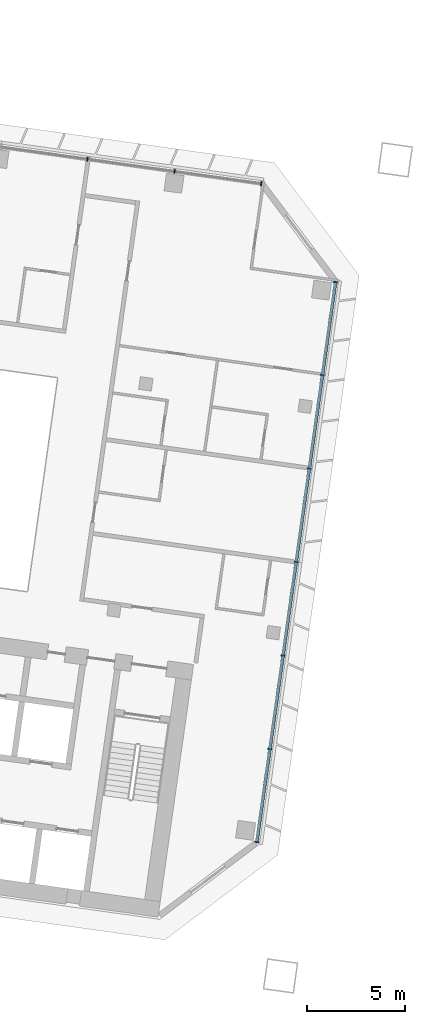
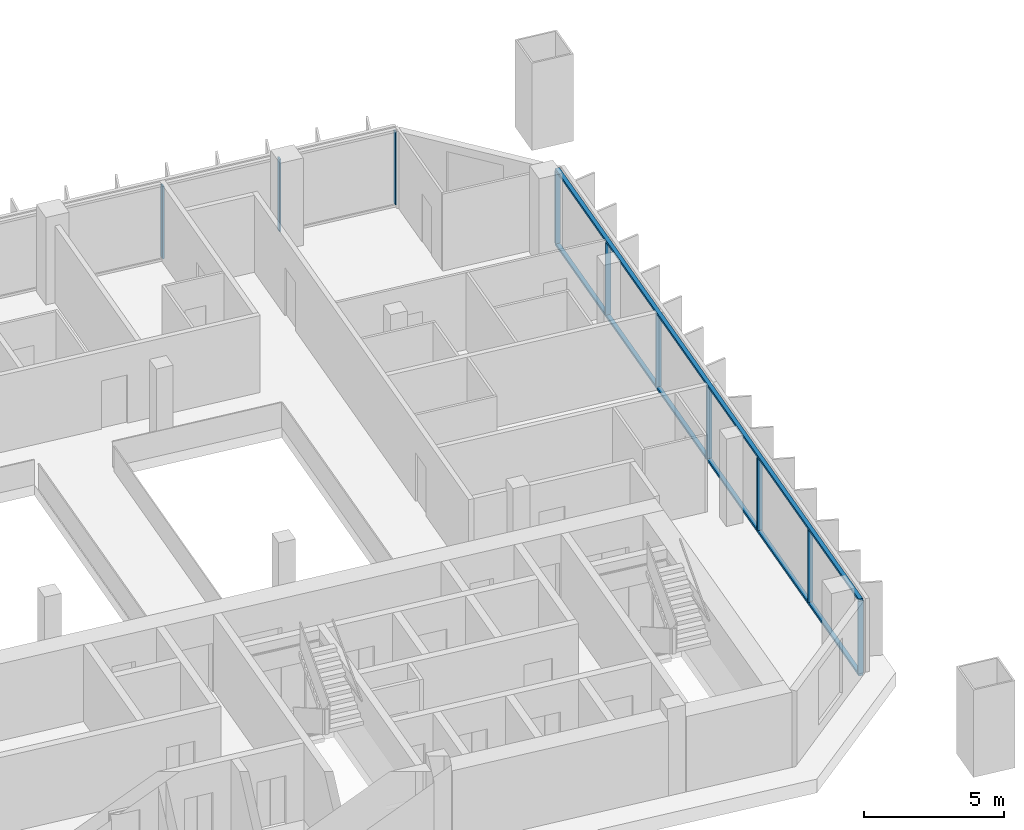
# One storey, part 6 of 26: 12 members, 2 elements without a shape of their own.
"""IFC4 building model written with IfcOpenShell, lengths in metres."""

from ifc_helpers import new_model, si_unit, direction, frame, origin, origin_2d, place, context, subcontext, project, spatial, rectangle, extrude, material, material_profile, profile_set, type_object, element, aggregate, save


model = new_model("IFC4")

# Units and contexts
model_context = context("Model", 3, precision=1e-05, world=origin(), true_north=direction((0.0, 1.0)))
body_context = subcontext(model_context, "Body", "Model", "MODEL_VIEW")
ifc_project = project(units=[si_unit("LENGTHUNIT", "METRE"), si_unit("AREAUNIT", "SQUARE_METRE"), si_unit("VOLUMEUNIT", "CUBIC_METRE"), si_unit("PLANEANGLEUNIT", "RADIAN"), si_unit("MASSUNIT", "GRAM", prefix="KILO")], contexts=[model_context])

# Site, building, storey
site_placement = place(None, origin())
site = spatial("IfcSite", under=ifc_project, at=site_placement, CompositionType="ELEMENT")
building_placement = place(site_placement, origin())
building = spatial("IfcBuilding", under=site, at=building_placement, Name="Mirante Cascada Hotel Towers", CompositionType="ELEMENT")
storey_placement = place(building_placement, frame((0.0, 0.0, 98.7)))
storey = spatial("IfcBuildingStorey", under=building, at=storey_placement, Name="L21", CompositionType="ELEMENT", Elevation=98.7)

# Curtain wall, members
ifc_material_1 = material(Name="Aluminium mullion and transom frame with clear laminated glass", Category="aluminium")
curtain_wall_type_1 = type_object("IfcCurtainWallType", Name="Ribbon curtain wall ECW1", PredefinedType="NOTDEFINED", material=ifc_material_1)
curtain_wall_1_placement = place(storey_placement, origin())
curtain_wall_1 = element("IfcCurtainWall", 1, at=curtain_wall_1_placement, inside=storey, type_object=curtain_wall_type_1, Name="Front ribbon wall T1 L21", PredefinedType="NOTDEFINED")
ifc_material_2 = material(Name="Anodised aluminium extrusion", Category="aluminium")
ifc_material_profile_1 = material_profile(ifc_material_2, rectangle(XDim=0.2, YDim=0.065, at=origin_2d()), Name="ECW1 MULLION 65x200")
ifc_profile_set_1 = profile_set([ifc_material_profile_1], Name="Anodised aluminium extrusion")
member_type_1 = type_object("IfcMemberType", Name="ECW1 mullion 65x200", PredefinedType="MULLION", material=ifc_profile_set_1)
member_1_placement = place(storey_placement, frame((-40.7862, 18.5512, 0.1), z_axis=(0.0, 0.0, 1.0), x_axis=(0.1391731, 0.9902681, 0.0)))
member_1 = element("IfcMember", 2, at=member_1_placement, type_object=member_type_1, Name="ECW1 mullion 11", PredefinedType="MULLION", context=body_context, shape_type="SweptSolid", body=[
    extrude(rectangle(XDim=0.2, YDim=0.065, at=origin_2d()), origin(), (0.0, 0.0, 1.0), 3.15),
])
member_2_placement = place(storey_placement, frame((-36.3403, 17.9263, 0.1), z_axis=(0.0, 0.0, 1.0), x_axis=(0.1391731, 0.9902681, 0.0)))
member_2 = element("IfcMember", 3, at=member_2_placement, type_object=member_type_1, Name="ECW1 mullion 12", PredefinedType="MULLION", context=body_context, shape_type="SweptSolid", body=[
    extrude(rectangle(XDim=0.2, YDim=0.065, at=origin_2d()), origin(), (0.0, 0.0, 1.0), 3.15),
])
member_3_placement = place(storey_placement, frame((-31.9265, 17.306, 0.1), z_axis=(0.0, 0.0, 1.0), x_axis=(0.1391731, 0.9902681, 0.0)))
member_3 = element("IfcMember", 4, at=member_3_placement, type_object=member_type_1, Name="ECW1 mullion 13", PredefinedType="MULLION", context=body_context, shape_type="SweptSolid", body=[
    extrude(rectangle(XDim=0.2, YDim=0.065, at=origin_2d()), origin(), (0.0, 0.0, 1.0), 3.15),
])
aggregate(curtain_wall_1, [member_1, member_2, member_3])

ifc_material_3 = material(Name="Aluminium mullion and transom frame with clear laminated glass", Category="aluminium")
curtain_wall_type_2 = type_object("IfcCurtainWallType", Name="End ribbon curtain wall ECW2", PredefinedType="NOTDEFINED", material=ifc_material_3)
curtain_wall_2_placement = place(storey_placement, origin())
curtain_wall_2 = element("IfcCurtainWall", 5, at=curtain_wall_2_placement, inside=storey, type_object=curtain_wall_type_2, Name="Inner end wall T1 L21", PredefinedType="NOTDEFINED")
ifc_material_4 = material(Name="Anodised aluminium extrusion", Category="aluminium")
ifc_material_profile_2 = material_profile(ifc_material_4, rectangle(XDim=0.2, YDim=0.065, at=origin_2d()), Name="ECW2 MULLION 65x200")
ifc_profile_set_2 = profile_set([ifc_material_profile_2], Name="Anodised aluminium extrusion")
member_type_2 = type_object("IfcMemberType", Name="ECW2 mullion 65x200", PredefinedType="MULLION", material=ifc_profile_set_2)
member_4_placement = place(storey_placement, frame((-28.1437, 12.2861, 0.1), z_axis=(0.0, 0.0, 1.0), x_axis=(0.9902681, -0.1391731, 0.0)))
member_4 = element("IfcMember", 6, at=member_4_placement, type_object=member_type_2, Name="ECW2 mullion 1", PredefinedType="MULLION", context=body_context, shape_type="SweptSolid", body=[
    extrude(rectangle(XDim=0.2, YDim=0.065, at=origin_2d()), origin(), (0.0, 0.0, 1.0), 3.15),
])
member_5_placement = place(storey_placement, frame((-28.809, 7.5524, 0.1), z_axis=(0.0, 0.0, 1.0), x_axis=(0.9902681, -0.1391731, 0.0)))
member_5 = element("IfcMember", 7, at=member_5_placement, type_object=member_type_2, Name="ECW2 mullion 2", PredefinedType="MULLION", context=body_context, shape_type="SweptSolid", body=[
    extrude(rectangle(XDim=0.2, YDim=0.065, at=origin_2d()), origin(), (0.0, 0.0, 1.0), 3.15),
])
member_6_placement = place(storey_placement, frame((-29.4788, 2.7867, 0.1), z_axis=(0.0, 0.0, 1.0), x_axis=(0.9902681, -0.1391731, 0.0)))
member_6 = element("IfcMember", 8, at=member_6_placement, type_object=member_type_2, Name="ECW2 mullion 3", PredefinedType="MULLION", context=body_context, shape_type="SweptSolid", body=[
    extrude(rectangle(XDim=0.2, YDim=0.065, at=origin_2d()), origin(), (0.0, 0.0, 1.0), 3.15),
])
member_7_placement = place(storey_placement, frame((-30.1485, -1.9791, 0.1), z_axis=(0.0, 0.0, 1.0), x_axis=(0.9902681, -0.1391731, 0.0)))
member_7 = element("IfcMember", 9, at=member_7_placement, type_object=member_type_2, Name="ECW2 mullion 4", PredefinedType="MULLION", context=body_context, shape_type="SweptSolid", body=[
    extrude(rectangle(XDim=0.2, YDim=0.065, at=origin_2d()), origin(), (0.0, 0.0, 1.0), 3.15),
])
member_8_placement = place(storey_placement, frame((-30.8183, -6.7449, 0.1), z_axis=(0.0, 0.0, 1.0), x_axis=(0.9902681, -0.1391731, 0.0)))
member_8 = element("IfcMember", 10, at=member_8_placement, type_object=member_type_2, Name="ECW2 mullion 5", PredefinedType="MULLION", context=body_context, shape_type="SweptSolid", body=[
    extrude(rectangle(XDim=0.2, YDim=0.065, at=origin_2d()), origin(), (0.0, 0.0, 1.0), 3.15),
])
member_9_placement = place(storey_placement, frame((-31.4881, -11.5107, 0.1), z_axis=(0.0, 0.0, 1.0), x_axis=(0.9902681, -0.1391731, 0.0)))
member_9 = element("IfcMember", 11, at=member_9_placement, type_object=member_type_2, Name="ECW2 mullion 6", PredefinedType="MULLION", context=body_context, shape_type="SweptSolid", body=[
    extrude(rectangle(XDim=0.2, YDim=0.065, at=origin_2d()), origin(), (0.0, 0.0, 1.0), 3.15),
])
member_10_placement = place(storey_placement, frame((-32.1534, -16.2443, 0.1), z_axis=(0.0, 0.0, 1.0), x_axis=(0.9902681, -0.1391731, 0.0)))
member_10 = element("IfcMember", 12, at=member_10_placement, type_object=member_type_2, Name="ECW2 mullion 7", PredefinedType="MULLION", context=body_context, shape_type="SweptSolid", body=[
    extrude(rectangle(XDim=0.2, YDim=0.065, at=origin_2d()), origin(), (0.0, 0.0, 1.0), 3.15),
])
ifc_material_5 = material(Name="Anodised aluminium extrusion", Category="aluminium")
ifc_material_profile_3 = material_profile(ifc_material_5, rectangle(XDim=0.16, YDim=0.1, at=origin_2d()), Name="ECW2 TRANSOM 100x160")
ifc_profile_set_3 = profile_set([ifc_material_profile_3], Name="Anodised aluminium extrusion")
member_type_3 = type_object("IfcMemberType", Name="ECW2 transom 100x160", PredefinedType="USERDEFINED", material=ifc_profile_set_3)
member_11_placement = place(storey_placement, frame((-28.1392, 12.3182, 0.05), z_axis=(-0.1391723, -0.9902682, 0.0), x_axis=(0.9902682, -0.1391723, 0.0)))
member_11 = element("IfcMember", 13, at=member_11_placement, type_object=member_type_3, Name="ECW2 sill transom", ObjectType="TRANSOM", PredefinedType="USERDEFINED", context=body_context, shape_type="SweptSolid", body=[
    extrude(rectangle(XDim=0.16, YDim=0.1, at=origin_2d()), origin(), (0.0, 0.0, 1.0), 28.8757),
])
member_12_placement = place(storey_placement, frame((-28.1392, 12.3182, 3.3), z_axis=(-0.1391723, -0.9902682, 0.0), x_axis=(0.9902682, -0.1391723, 0.0)))
member_12 = element("IfcMember", 14, at=member_12_placement, type_object=member_type_3, Name="ECW2 head transom", ObjectType="TRANSOM", PredefinedType="USERDEFINED", context=body_context, shape_type="SweptSolid", body=[
    extrude(rectangle(XDim=0.16, YDim=0.1, at=origin_2d()), origin(), (0.0, 0.0, 1.0), 28.8757),
])
aggregate(curtain_wall_2, [member_11, member_12, member_4, member_5, member_6, member_7, member_8, member_9, member_10])

save(model, "model.ifc")
